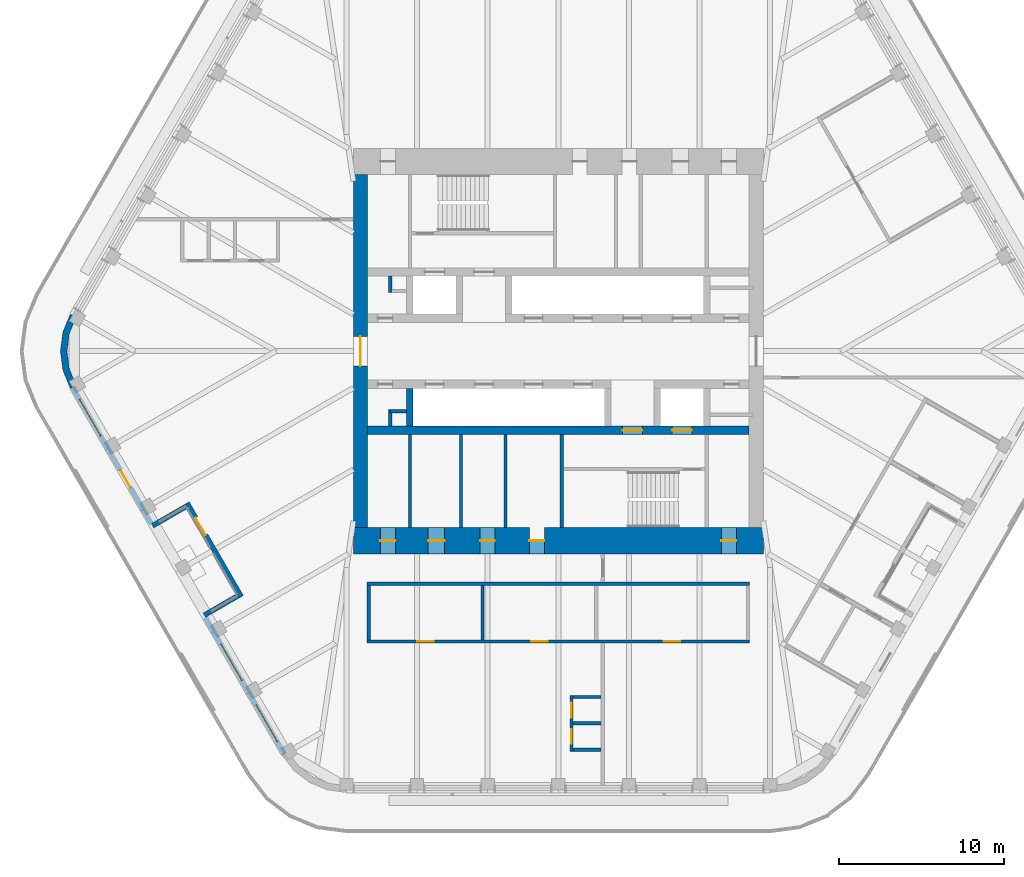
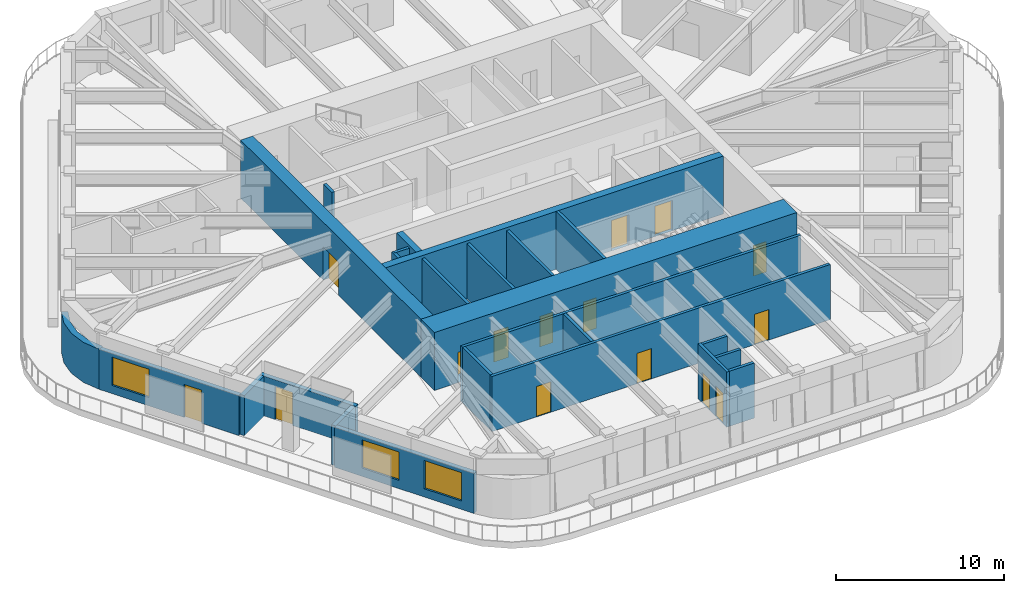
# One storey, part 13 of 20: 25 walls, 15 doors, 3 windows, 18 openings.
"""IFC4 building model written with IfcOpenShell, lengths in metres."""

from ifc_helpers import new_model, si_unit, direction, frame, frame_2d, origin, place, context, subcontext, project, spatial, polyline, rectangle, outline, extrude, material, layer, layer_set, type_object, element, fill, save


model = new_model("IFC4")

# Units and contexts
model_context = context("Model", 3, precision=1e-05, world=origin(), true_north=direction((0.0, 1.0)))
body_context = subcontext(model_context, "Body", "Model", "MODEL_VIEW")
ifc_project = project(units=[si_unit("LENGTHUNIT", "METRE"), si_unit("AREAUNIT", "SQUARE_METRE"), si_unit("VOLUMEUNIT", "CUBIC_METRE"), si_unit("PLANEANGLEUNIT", "RADIAN"), si_unit("MASSUNIT", "GRAM", prefix="KILO")], contexts=[model_context])

# Site, building, storey
site_placement = place(None, origin())
site = spatial("IfcSite", under=ifc_project, at=site_placement, CompositionType="ELEMENT")
building_placement = place(site_placement, origin())
building = spatial("IfcBuilding", under=site, at=building_placement, Name="Tarfa Lantern Tower", CompositionType="ELEMENT")
storey_placement = place(building_placement, frame((0.0, 0.0, 382.89990234375)))
storey = spatial("IfcBuildingStorey", under=building, at=storey_placement, Name="L87", CompositionType="ELEMENT", Elevation=382.89990234375)

# Wall, openings, door, window
ifc_material_1 = material(Name="Limestone cladding on blockwork", Category="masonry")
ifc_layer_1 = layer(ifc_material_1, 0.300048828125)
ifc_layer_set_1 = layer_set([ifc_layer_1], Name="EW1 STONE-CLAD WALL 300")
wall_type_1 = type_object("IfcWallType", Name="EW1 STONE-CLAD WALL 300", PredefinedType="SOLIDWALL", material=ifc_layer_set_1)
wall_1_placement = place(storey_placement, frame((-29.459228515625, -2.175048828125, 0.0), z_axis=(0.0, 0.0, 1.0), x_axis=(0.499996453679, -0.866027451244, 0.0)))
wall_1 = element("IfcWall", 1, at=wall_1_placement, inside=storey, type_object=wall_type_1, Name="Stone wall SW", PredefinedType="SOLIDWALL", context=body_context, shape_type="SweptSolid", body=[
    extrude(rectangle(XDim=9.56396484375, YDim=0.300048828125, at=frame_2d((4.781982421875, 0.0))), origin(), (0.0, 0.0, 1.0), 2.900146484375),
])
opening_1_placement = place(wall_1_placement, frame((0.865966796875, 0.0, 0.60009765625)))
opening_1 = element("IfcOpeningElement", 2, at=opening_1_placement, cuts=wall_1, Name="Opening W17", PredefinedType="OPENING", context=body_context, shape_type="SweptSolid", body=[
    extrude(rectangle(XDim=2.550048828125, YDim=2.050048828125, at=frame_2d((1.27490234375, 1.02490234375))), frame((0.0, 0.159912109375, 0.0), z_axis=(0.0, -1.0, 0.0), x_axis=(1.0, 0.0, 0.0)), (0.0, 0.0, 1.0), 0.320068359375),
])
opening_2_placement = place(wall_1_placement, frame((5.822998046875, 0.0, 0.0)))
opening_2 = element("IfcOpeningElement", 3, at=opening_2_placement, cuts=wall_1, Name="Opening D43", PredefinedType="OPENING", context=body_context, shape_type="SweptSolid", body=[
    extrude(rectangle(XDim=1.199951171875, YDim=2.39990234375, at=frame_2d((0.60009765625, 1.199951171875))), frame((0.0, 0.159912109375, 0.0), z_axis=(0.0, -1.0, 0.0), x_axis=(1.0, 0.0, 0.0)), (0.0, 0.0, 1.0), 0.320068359375),
])
ifc_material_2 = material(Name="Aluminium framed glazed door", Category="aluminium")
door_type_1 = type_object("IfcDoorType", Name="BE3 BALCONY DOOR 1200x2400", OperationType="SINGLE_SWING_RIGHT", PredefinedType="DOOR", material=ifc_material_2)
door_1_placement = place(opening_2_placement, origin())
door_1 = element("IfcDoor", 4, at=door_1_placement, inside=storey, type_object=door_type_1, Name="Balcony door SW", OperationType="SINGLE_SWING_LEFT", OverallHeight=2.39990234375, OverallWidth=1.199951171875, PredefinedType="DOOR", context=body_context, shape_type="SweptSolid", body=[
    extrude(rectangle(XDim=1.199951171875, YDim=2.39990234375, at=frame_2d((0.60009765625, 1.199951171875))), frame((0.0, 0.02490234375, 0.0), z_axis=(0.0, -1.0, 0.0), x_axis=(1.0, 0.0, 0.0)), (0.0, 0.0, 1.0), 0.050048828125),
])
fill(opening_2, door_1)
ifc_material_3 = material(Name="Aluminium frame, double glazed", Category="aluminium")
window_type = type_object("IfcWindowType", Name="W17 FULL-HEIGHT GLAZING 2550x2050", PartitioningType="SINGLE_PANEL", PredefinedType="WINDOW", material=ifc_material_3)
window_1_placement = place(opening_1_placement, origin())
window_1 = element("IfcWindow", 5, at=window_1_placement, inside=storey, type_object=window_type, Name="Window SW 1", OverallHeight=2.050048828125, OverallWidth=2.550048828125, PartitioningType="SINGLE_PANEL", PredefinedType="WINDOW", context=body_context, shape_type="SweptSolid", body=[
    extrude(rectangle(XDim=2.550048828125, YDim=2.050048828125, at=frame_2d((1.27490234375, 1.02490234375))), frame((0.0, 0.030029296875, 0.0), z_axis=(0.0, -1.0, 0.0), x_axis=(1.0, 0.0, 0.0)), (0.0, 0.0, 1.0), 0.06005859375),
])
fill(opening_1, window_1)

# Wall, openings, windows
wall_2_placement = place(storey_placement, frame((-21.395263671875, -16.142333984375, 0.0), z_axis=(0.0, 0.0, 1.0), x_axis=(0.499996453679, -0.866027451244, 0.0)))
wall_2 = element("IfcWall", 6, at=wall_2_placement, inside=storey, type_object=wall_type_1, Name="Stone wall SWB", PredefinedType="SOLIDWALL", context=body_context, shape_type="SweptSolid", body=[
    extrude(rectangle(XDim=9.56396484375, YDim=0.300048828125, at=frame_2d((4.781982421875, 0.0))), origin(), (0.0, 0.0, 1.0), 2.900146484375),
])
opening_3_placement = place(wall_2_placement, frame((1.865966796875, 0.0, 0.60009765625)))
opening_3 = element("IfcOpeningElement", 7, at=opening_3_placement, cuts=wall_2, Name="Opening W17", PredefinedType="OPENING", context=body_context, shape_type="SweptSolid", body=[
    extrude(rectangle(XDim=2.550048828125, YDim=2.050048828125, at=frame_2d((1.27490234375, 1.02490234375))), frame((0.0, 0.159912109375, 0.0), z_axis=(0.0, -1.0, 0.0), x_axis=(1.0, 0.0, 0.0)), (0.0, 0.0, 1.0), 0.320068359375),
])
opening_4_placement = place(wall_2_placement, frame((6.14794921875, 0.0, 0.60009765625)))
opening_4 = element("IfcOpeningElement", 8, at=opening_4_placement, cuts=wall_2, Name="Opening W17", PredefinedType="OPENING", context=body_context, shape_type="SweptSolid", body=[
    extrude(rectangle(XDim=2.550048828125, YDim=2.050048828125, at=frame_2d((1.27490234375, 1.02490234375))), frame((0.0, 0.159912109375, 0.0), z_axis=(0.0, -1.0, 0.0), x_axis=(1.0, 0.0, 0.0)), (0.0, 0.0, 1.0), 0.320068359375),
])
window_2_placement = place(opening_3_placement, origin())
window_2 = element("IfcWindow", 9, at=window_2_placement, inside=storey, type_object=window_type, Name="Window SWB 1", OverallHeight=2.050048828125, OverallWidth=2.550048828125, PartitioningType="SINGLE_PANEL", PredefinedType="WINDOW", context=body_context, shape_type="SweptSolid", body=[
    extrude(rectangle(XDim=2.550048828125, YDim=2.050048828125, at=frame_2d((1.27490234375, 1.02490234375))), frame((0.0, 0.030029296875, 0.0), z_axis=(0.0, -1.0, 0.0), x_axis=(1.0, 0.0, 0.0)), (0.0, 0.0, 1.0), 0.06005859375),
])
fill(opening_3, window_2)
window_3_placement = place(opening_4_placement, origin())
window_3 = element("IfcWindow", 10, at=window_3_placement, inside=storey, type_object=window_type, Name="Window SWB 2", OverallHeight=2.050048828125, OverallWidth=2.550048828125, PartitioningType="SINGLE_PANEL", PredefinedType="WINDOW", context=body_context, shape_type="SweptSolid", body=[
    extrude(rectangle(XDim=2.550048828125, YDim=2.050048828125, at=frame_2d((1.27490234375, 1.02490234375))), frame((0.0, 0.030029296875, 0.0), z_axis=(0.0, -1.0, 0.0), x_axis=(1.0, 0.0, 0.0)), (0.0, 0.0, 1.0), 0.06005859375),
])
fill(opening_4, window_3)

# Walls
for number, where, z_axis, x_axis, name in (
    (11, (-24.602294921875, -10.587646484375, 0.0), (0.0, 0.0, 1.0), (0.866016039709, 0.500016218704, 0.0), "Terrace return SW 1"),
    (12, (-21.47021484375, -16.012451171875, 0.0), (0.0, 0.0, 1.0), (0.866016039709, 0.500016218704, 0.0), "Terrace return SW 2"),
):
    element("IfcWall", number, at=place(storey_placement, frame(where, z_axis=z_axis, x_axis=x_axis)), inside=storey, type_object=wall_type_1, Name=name, PredefinedType="SOLIDWALL", context=body_context, shape_type="SweptSolid", body=[
        extrude(rectangle(XDim=2.35009765625, YDim=0.300048828125, at=frame_2d((1.175048828125, 0.0))), origin(), (0.0, 0.0, 1.0), 2.900146484375),
    ])

# Wall, opening, door
wall_3_placement = place(storey_placement, frame((-22.51220703125, -9.207763671875, 0.0), z_axis=(0.0, 0.0, 1.0), x_axis=(0.499999339774, -0.866025784966, 0.0)))
wall_3 = element("IfcWall", 13, at=wall_3_placement, inside=storey, type_object=wall_type_1, Name="Stone wall SWS", PredefinedType="SOLIDWALL", context=body_context, shape_type="SweptSolid", body=[
    extrude(rectangle(XDim=6.56396484375, YDim=0.300048828125, at=frame_2d((3.281982421875, 0.0))), origin(), (0.0, 0.0, 1.0), 2.900146484375),
])
opening_5_placement = place(wall_3_placement, frame((1.041015625, 0.0, 0.0)))
opening_5 = element("IfcOpeningElement", 14, at=opening_5_placement, cuts=wall_3, Name="Opening D44", PredefinedType="OPENING", context=body_context, shape_type="SweptSolid", body=[
    extrude(rectangle(XDim=1.199951171875, YDim=2.39990234375, at=frame_2d((0.60009765625, 1.199951171875))), frame((0.0, 0.159912109375, 0.0), z_axis=(0.0, -1.0, 0.0), x_axis=(1.0, 0.0, 0.0)), (0.0, 0.0, 1.0), 0.320068359375),
])
door_2_placement = place(opening_5_placement, origin())
door_2 = element("IfcDoor", 15, at=door_2_placement, inside=storey, type_object=door_type_1, Name="Balcony door SWS", OperationType="SINGLE_SWING_RIGHT", OverallHeight=2.39990234375, OverallWidth=1.199951171875, PredefinedType="DOOR", context=body_context, shape_type="SweptSolid", body=[
    extrude(rectangle(XDim=1.199951171875, YDim=2.39990234375, at=frame_2d((0.60009765625, 1.199951171875))), frame((0.0, 0.02490234375, 0.0), z_axis=(0.0, -1.0, 0.0), x_axis=(1.0, 0.0, 0.0)), (0.0, 0.0, 1.0), 0.050048828125),
])
fill(opening_5, door_2)

# Walls
ifc_layer_2 = layer(ifc_material_1, 0.39990234375)
ifc_layer_set_2 = layer_set([ifc_layer_2], Name="EW2 CURVED STONE CORNER 400")
wall_type_2 = type_object("IfcWallType", Name="EW2 CURVED STONE CORNER 400", PredefinedType="SOLIDWALL", material=ifc_layer_set_2)
wall_4_placement = place(storey_placement, origin())
element("IfcWall", 16, at=wall_4_placement, inside=storey, type_object=wall_type_2, Name="Stone corner NW-SW", PredefinedType="SOLIDWALL", context=body_context, shape_type="SweptSolid", body=[
    extrude(outline(polyline([(-29.589111328125, 2.25), (-30.038818359375, 1.164794921875), (-30.192138671875, 0.0), (-30.038818359375, -1.164794921875), (-29.589111328125, -2.25), (-29.24267578125, -2.050048828125), (-29.65234375, -1.061279296875), (-29.7919921875, 0.0), (-29.65234375, 1.061279296875), (-29.24267578125, 2.050048828125), (-29.589111328125, 2.25)])), origin(), (0.0, 0.0, 1.0), 2.900146484375),
])
ifc_material_4 = material(Name="Concrete blockwork", Category="masonry")
ifc_layer_3 = layer(ifc_material_4, 0.199951171875)
ifc_layer_set_3 = layer_set([ifc_layer_3], Name="IW1 BLOCKWORK PARTITION 200 EI 120")
wall_type_3 = type_object("IfcWallType", Name="IW1 BLOCKWORK PARTITION 200 EI 120", PredefinedType="PARTITIONING", material=ifc_layer_set_3)
for number, where, z_axis, x_axis, name in (
    (17, (-9.0, -5.050048828125, 0.0), (0.0, 0.0, 1.0), (0.0, -1.0, 0.0), "Core partition"),
    (18, (-3.199951171875, -5.050048828125, 0.0), (0.0, 0.0, 1.0), (0.0, -1.0, 0.0), "Core partition"),
    (19, (-5.89990234375, -5.050048828125, 0.0), (0.0, 0.0, 1.0), (0.0, -1.0, 0.0), "Core partition"),
):
    element("IfcWall", number, at=place(storey_placement, frame(where, z_axis=z_axis, x_axis=x_axis)), inside=storey, type_object=wall_type_3, Name=name, PredefinedType="PARTITIONING", context=body_context, shape_type="SweptSolid", body=[
        extrude(rectangle(XDim=5.64990234375, YDim=0.199951171875, at=frame_2d((2.824951171875, 0.0))), origin(), (0.0, 0.0, 1.0), 4.0),
    ])
for number, where, z_axis, x_axis, name in (
    (20, (-10.199951171875, 3.550048828125, 0.0), (0.0, 0.0, 1.0), (0.0, 1.0, 0.0), "Core partition"),
    (21, (-9.199951171875, -3.64990234375, 0.0), (0.0, 0.0, 1.0), (-1.0, 0.0, 0.0), "Core partition"),
    (22, (-10.199951171875, -3.550048828125, 0.0), (0.0, 0.0, 1.0), (0.0, -1.0, 0.0), "Core partition"),
):
    element("IfcWall", number, at=place(storey_placement, frame(where, z_axis=z_axis, x_axis=x_axis)), inside=storey, type_object=wall_type_3, Name=name, PredefinedType="PARTITIONING", context=body_context, shape_type="SweptSolid", body=[
        extrude(rectangle(XDim=1.0, YDim=0.199951171875, at=frame_2d((0.5, 0.0))), origin(), (0.0, 0.0, 1.0), 4.0),
    ])
ifc_material_5 = material(Name="Gypsum board on steel studs", Category="steel")
ifc_layer_4 = layer(ifc_material_5, 0.2099609375)
ifc_layer_set_4 = layer_set([ifc_layer_4], Name="IW2 ACOUSTIC PARTITION 200")
wall_type_4 = type_object("IfcWallType", Name="IW2 ACOUSTIC PARTITION 200", PredefinedType="PARTITIONING", material=ifc_layer_set_4)
wall_5_placement = place(storey_placement, frame((11.60009765625, -14.10009765625, 0.0), z_axis=(0.0, 0.0, 1.0), x_axis=(-1.0, 0.0, 0.0)))
element("IfcWall", 23, at=wall_5_placement, inside=storey, type_object=wall_type_4, Name="Partition", PredefinedType="PARTITIONING", context=body_context, shape_type="SweptSolid", body=[
    extrude(rectangle(XDim=23.2001953125, YDim=0.199951171875, at=frame_2d((11.60009765625, 0.0))), origin(), (0.0, 0.0, 1.0), 4.0),
])

# Wall, openings, doors
wall_6_placement = place(storey_placement, frame((11.60009765625, -17.60009765625, 0.0), z_axis=(0.0, 0.0, 1.0), x_axis=(-1.0, 0.0, 0.0)))
wall_6 = element("IfcWall", 24, at=wall_6_placement, inside=storey, type_object=wall_type_4, Name="Partition", PredefinedType="PARTITIONING", context=body_context, shape_type="SweptSolid", body=[
    extrude(rectangle(XDim=23.2001953125, YDim=0.199951171875, at=frame_2d((11.60009765625, 0.0))), origin(), (0.0, 0.0, 1.0), 4.0),
])
opening_6_placement = place(wall_6_placement, frame((4.199951171875, 0.0, 0.0)))
opening_6 = element("IfcOpeningElement", 25, at=opening_6_placement, cuts=wall_6, Name="Opening D28", PredefinedType="OPENING", context=body_context, shape_type="SweptSolid", body=[
    extrude(rectangle(XDim=1.0, YDim=2.199951171875, at=frame_2d((0.5, 1.10009765625))), frame((0.0, 0.10986328125, 0.0), z_axis=(0.0, -1.0, 0.0), x_axis=(1.0, 0.0, 0.0)), (0.0, 0.0, 1.0), 0.219970703125),
])
opening_7_placement = place(wall_6_placement, frame((12.25, 0.0, 0.0)))
opening_7 = element("IfcOpeningElement", 26, at=opening_7_placement, cuts=wall_6, Name="Opening D29", PredefinedType="OPENING", context=body_context, shape_type="SweptSolid", body=[
    extrude(rectangle(XDim=1.0, YDim=2.199951171875, at=frame_2d((0.5, 1.10009765625))), frame((0.0, 0.10986328125, 0.0), z_axis=(0.0, -1.0, 0.0), x_axis=(1.0, 0.0, 0.0)), (0.0, 0.0, 1.0), 0.219970703125),
])
opening_8_placement = place(wall_6_placement, frame((19.14990234375, 0.0, 0.0)))
opening_8 = element("IfcOpeningElement", 27, at=opening_8_placement, cuts=wall_6, Name="Opening D30", PredefinedType="OPENING", context=body_context, shape_type="SweptSolid", body=[
    extrude(rectangle(XDim=1.0, YDim=2.199951171875, at=frame_2d((0.5, 1.10009765625))), frame((0.0, 0.10986328125, 0.0), z_axis=(0.0, -1.0, 0.0), x_axis=(1.0, 0.0, 0.0)), (0.0, 0.0, 1.0), 0.219970703125),
])
ifc_material_6 = material(Name="Timber door", Category="wood")
door_type_2 = type_object("IfcDoorType", Name="DR1 ROOM DOOR 1000x2200", OperationType="SINGLE_SWING_LEFT", PredefinedType="DOOR", material=ifc_material_6)
door_3_placement = place(opening_6_placement, frame((1.0, 0.0, 0.0), z_axis=(0.0, 0.0, 1.0), x_axis=(-1.0, 0.0, 0.0)))
door_3 = element("IfcDoor", 28, at=door_3_placement, inside=storey, type_object=door_type_2, Name="Pantry door", OperationType="SINGLE_SWING_LEFT", OverallHeight=2.199951171875, OverallWidth=1.0, PredefinedType="DOOR", context=body_context, shape_type="SweptSolid", body=[
    extrude(rectangle(XDim=1.0, YDim=2.199951171875, at=frame_2d((0.5, 1.10009765625))), frame((0.0, 0.02490234375, 0.0), z_axis=(0.0, -1.0, 0.0), x_axis=(1.0, 0.0, 0.0)), (0.0, 0.0, 1.0), 0.050048828125),
])
fill(opening_6, door_3)
door_4_placement = place(opening_7_placement, frame((1.0, 0.0, 0.0), z_axis=(0.0, 0.0, 1.0), x_axis=(-1.0, 0.0, 0.0)))
door_4 = element("IfcDoor", 29, at=door_4_placement, inside=storey, type_object=door_type_2, Name="Guest lounge door", OperationType="SINGLE_SWING_RIGHT", OverallHeight=2.199951171875, OverallWidth=1.0, PredefinedType="DOOR", context=body_context, shape_type="SweptSolid", body=[
    extrude(rectangle(XDim=1.0, YDim=2.199951171875, at=frame_2d((0.5, 1.10009765625))), frame((0.0, 0.02490234375, 0.0), z_axis=(0.0, -1.0, 0.0), x_axis=(1.0, 0.0, 0.0)), (0.0, 0.0, 1.0), 0.050048828125),
])
fill(opening_7, door_4)
door_5_placement = place(opening_8_placement, frame((1.0, 0.0, 0.0), z_axis=(0.0, 0.0, 1.0), x_axis=(-1.0, 0.0, 0.0)))
door_5 = element("IfcDoor", 30, at=door_5_placement, inside=storey, type_object=door_type_2, Name="Chairman's lounge door", OperationType="SINGLE_SWING_RIGHT", OverallHeight=2.199951171875, OverallWidth=1.0, PredefinedType="DOOR", context=body_context, shape_type="SweptSolid", body=[
    extrude(rectangle(XDim=1.0, YDim=2.199951171875, at=frame_2d((0.5, 1.10009765625))), frame((0.0, 0.02490234375, 0.0), z_axis=(0.0, -1.0, 0.0), x_axis=(1.0, 0.0, 0.0)), (0.0, 0.0, 1.0), 0.050048828125),
])
fill(opening_8, door_5)

# Walls
for number, where, z_axis, x_axis, name in (
    (31, (-4.60009765625, -14.199951171875, 0.0), (0.0, 0.0, 1.0), (0.0, -1.0, 0.0), "Partition"),
    (32, (-11.5, -14.199951171875, 0.0), (0.0, 0.0, 1.0), (0.0, -1.0, 0.0), "Partition"),
):
    element("IfcWall", number, at=place(storey_placement, frame(where, z_axis=z_axis, x_axis=x_axis)), inside=storey, type_object=wall_type_4, Name=name, PredefinedType="PARTITIONING", context=body_context, shape_type="SweptSolid", body=[
        extrude(rectangle(XDim=3.300048828125, YDim=0.199951171875, at=frame_2d((1.64990234375, 0.0))), origin(), (0.0, 0.0, 1.0), 4.0),
    ])

# Wall, openings, doors
wall_7_placement = place(storey_placement, frame((0.800048828125, -20.867431640625, 0.0), z_axis=(0.0, 0.0, 1.0), x_axis=(0.0, -1.0, 0.0)))
wall_7 = element("IfcWall", 33, at=wall_7_placement, inside=storey, type_object=wall_type_4, Name="Partition", PredefinedType="PARTITIONING", context=body_context, shape_type="SweptSolid", body=[
    extrude(rectangle(XDim=3.400146484375, YDim=0.199951171875, at=frame_2d((1.7001953125, 0.0))), origin(), (0.0, 0.0, 1.0), 4.0),
])
opening_9_placement = place(wall_7_placement, frame((0.449951171875, 0.0, 0.0)))
opening_9 = element("IfcOpeningElement", 34, at=opening_9_placement, cuts=wall_7, Name="Opening D34", PredefinedType="OPENING", context=body_context, shape_type="SweptSolid", body=[
    extrude(rectangle(XDim=0.89990234375, YDim=2.199951171875, at=frame_2d((0.449951171875, 1.10009765625))), frame((0.0, 0.10986328125, 0.0), z_axis=(0.0, -1.0, 0.0), x_axis=(1.0, 0.0, 0.0)), (0.0, 0.0, 1.0), 0.219970703125),
])
opening_10_placement = place(wall_7_placement, frame((2.050048828125, 0.0, 0.0)))
opening_10 = element("IfcOpeningElement", 35, at=opening_10_placement, cuts=wall_7, Name="Opening D35", PredefinedType="OPENING", context=body_context, shape_type="SweptSolid", body=[
    extrude(rectangle(XDim=0.89990234375, YDim=2.199951171875, at=frame_2d((0.449951171875, 1.10009765625))), frame((0.0, 0.10986328125, 0.0), z_axis=(0.0, -1.0, 0.0), x_axis=(1.0, 0.0, 0.0)), (0.0, 0.0, 1.0), 0.219970703125),
])
door_type_3 = type_object("IfcDoorType", Name="DR3 ROOM DOOR 900x2200", OperationType="SINGLE_SWING_LEFT", PredefinedType="DOOR", material=ifc_material_6)
door_6_placement = place(opening_9_placement, origin())
door_6 = element("IfcDoor", 36, at=door_6_placement, inside=storey, type_object=door_type_3, Name="Phone booth door", OperationType="SINGLE_SWING_RIGHT", OverallHeight=2.199951171875, OverallWidth=0.89990234375, PredefinedType="DOOR", context=body_context, shape_type="SweptSolid", body=[
    extrude(rectangle(XDim=0.89990234375, YDim=2.199951171875, at=frame_2d((0.449951171875, 1.10009765625))), frame((0.0, 0.02490234375, 0.0), z_axis=(0.0, -1.0, 0.0), x_axis=(1.0, 0.0, 0.0)), (0.0, 0.0, 1.0), 0.050048828125),
])
fill(opening_9, door_6)
door_7_placement = place(opening_10_placement, origin())
door_7 = element("IfcDoor", 37, at=door_7_placement, inside=storey, type_object=door_type_3, Name="Phone booth door", OperationType="SINGLE_SWING_LEFT", OverallHeight=2.199951171875, OverallWidth=0.89990234375, PredefinedType="DOOR", context=body_context, shape_type="SweptSolid", body=[
    extrude(rectangle(XDim=0.89990234375, YDim=2.199951171875, at=frame_2d((0.449951171875, 1.10009765625))), frame((0.0, 0.02490234375, 0.0), z_axis=(0.0, -1.0, 0.0), x_axis=(1.0, 0.0, 0.0)), (0.0, 0.0, 1.0), 0.050048828125),
])
fill(opening_10, door_7)

# Walls
for number, where, z_axis, x_axis, name in (
    (38, (2.60009765625, -20.967529296875, 0.0), (0.0, 0.0, 1.0), (-1.0, 0.0, 0.0), "Partition"),
    (39, (2.60009765625, -22.5673828125, 0.0), (0.0, 0.0, 1.0), (-1.0, 0.0, 0.0), "Partition"),
    (40, (2.60009765625, -24.16748046875, 0.0), (0.0, 0.0, 1.0), (-1.0, 0.0, 0.0), "Partition"),
):
    element("IfcWall", number, at=place(storey_placement, frame(where, z_axis=z_axis, x_axis=x_axis)), inside=storey, type_object=wall_type_4, Name=name, PredefinedType="PARTITIONING", context=body_context, shape_type="SweptSolid", body=[
        extrude(rectangle(XDim=1.7001953125, YDim=0.199951171875, at=frame_2d((0.85009765625, 0.0))), origin(), (0.0, 0.0, 1.0), 4.0),
    ])
ifc_material_7 = material(Name="Concrete C80/95", Category="concrete")
ifc_layer_5 = layer(ifc_material_7, 0.199951171875)
ifc_layer_set_5 = layer_set([ifc_layer_5], Name="SW12 CORE WALL 200")
wall_type_5 = type_object("IfcWallType", Name="SW12 CORE WALL 200", PredefinedType="SHEAR", material=ifc_layer_set_5)
wall_8_placement = place(storey_placement, frame((0.199951171875, -5.050048828125, 0.0), z_axis=(0.0, 0.0, 1.0), x_axis=(0.0, -1.0, 0.0)))
element("IfcWall", 41, at=wall_8_placement, inside=storey, type_object=wall_type_5, Name="Core wall stair shaft S", PredefinedType="SHEAR", context=body_context, shape_type="SweptSolid", body=[
    extrude(rectangle(XDim=5.64990234375, YDim=0.199951171875, at=frame_2d((2.824951171875, 0.0))), origin(), (0.0, 0.0, 1.0), 4.2001953125),
])

# Wall, opening, door
ifc_layer_6 = layer(ifc_material_7, 0.85009765625)
ifc_layer_set_6 = layer_set([ifc_layer_6], Name="SW3 CORE WALL 850")
wall_type_6 = type_object("IfcWallType", Name="SW3 CORE WALL 850", PredefinedType="SHEAR", material=ifc_layer_set_6)
wall_9_placement = place(storey_placement, frame((-12.0, 10.699951171875, 0.0), z_axis=(0.0, 0.0, 1.0), x_axis=(0.0, -1.0, 0.0)))
wall_9 = element("IfcWall", 42, at=wall_9_placement, inside=storey, type_object=wall_type_6, Name="Core wall W", PredefinedType="SHEAR", context=body_context, shape_type="SweptSolid", body=[
    extrude(rectangle(XDim=21.39990234375, YDim=0.85009765625, at=frame_2d((10.699951171875, 0.0))), origin(), (0.0, 0.0, 1.0), 4.2001953125),
])
opening_11_placement = place(wall_9_placement, frame((9.800048828125, 0.0, 0.0)))
opening_11 = element("IfcOpeningElement", 43, at=opening_11_placement, cuts=wall_9, Name="Opening D08", PredefinedType="OPENING", context=body_context, shape_type="SweptSolid", body=[
    extrude(rectangle(XDim=1.800048828125, YDim=2.39990234375, at=frame_2d((0.89990234375, 1.199951171875))), frame((0.0, 0.43505859375, 0.0), z_axis=(0.0, -1.0, 0.0), x_axis=(1.0, 0.0, 0.0)), (0.0, 0.0, 1.0), 0.8701171875),
])
ifc_material_8 = material(Name="Steel fire door", Category="steel")
door_type_4 = type_object("IfcDoorType", Name="DL1 LOBBY DOOR 1800x2400", OperationType="DOUBLE_DOOR_SINGLE_SWING", PredefinedType="DOOR", material=ifc_material_8)
door_8_placement = place(opening_11_placement, frame((1.800048828125, 0.0, 0.0), z_axis=(0.0, 0.0, 1.0), x_axis=(-1.0, 0.0, 0.0)))
door_8 = element("IfcDoor", 44, at=door_8_placement, inside=storey, type_object=door_type_4, Name="Lift lobby door", OperationType="DOUBLE_DOOR_SINGLE_SWING", OverallHeight=2.39990234375, OverallWidth=1.800048828125, PredefinedType="DOOR", context=body_context, shape_type="SweptSolid", body=[
    extrude(rectangle(XDim=1.800048828125, YDim=2.39990234375, at=frame_2d((0.89990234375, 1.199951171875))), frame((0.0, 0.02490234375, 0.0), z_axis=(0.0, -1.0, 0.0), x_axis=(1.0, 0.0, 0.0)), (0.0, 0.0, 1.0), 0.050048828125),
])
fill(opening_11, door_8)

# Wall, openings, doors
ifc_layer_7 = layer(ifc_material_7, 0.5)
ifc_layer_set_7 = layer_set([ifc_layer_7], Name="SW5 CORE WALL 500")
wall_type_7 = type_object("IfcWallType", Name="SW5 CORE WALL 500", PredefinedType="SHEAR", material=ifc_layer_set_7)
wall_10_placement = place(storey_placement, frame((11.574951171875, -4.800048828125, 0.0), z_axis=(0.0, 0.0, 1.0), x_axis=(-1.0, 0.0, 0.0)))
wall_10 = element("IfcWall", 45, at=wall_10_placement, inside=storey, type_object=wall_type_7, Name="Core wall rear S", PredefinedType="SHEAR", context=body_context, shape_type="SweptSolid", body=[
    extrude(rectangle(XDim=23.14990234375, YDim=0.5, at=frame_2d((11.574951171875, 0.0))), origin(), (0.0, 0.0, 1.0), 4.2001953125),
])
opening_12_placement = place(wall_10_placement, frame((6.47509765625, 0.0, 0.0)))
opening_12 = element("IfcOpeningElement", 46, at=opening_12_placement, cuts=wall_10, Name="Opening D06", PredefinedType="OPENING", context=body_context, shape_type="SweptSolid", body=[
    extrude(rectangle(XDim=1.199951171875, YDim=2.199951171875, at=frame_2d((0.60009765625, 1.10009765625))), frame((0.0, 0.260009765625, 0.0), z_axis=(0.0, -1.0, 0.0), x_axis=(1.0, 0.0, 0.0)), (0.0, 0.0, 1.0), 0.52001953125),
])
opening_13_placement = place(wall_10_placement, frame((3.47509765625, 0.0, 0.0)))
opening_13 = element("IfcOpeningElement", 47, at=opening_13_placement, cuts=wall_10, Name="Opening LD02", PredefinedType="OPENING", context=body_context, shape_type="SweptSolid", body=[
    extrude(rectangle(XDim=1.199951171875, YDim=2.199951171875, at=frame_2d((0.60009765625, 1.10009765625))), frame((0.0, 0.260009765625, 0.0), z_axis=(0.0, -1.0, 0.0), x_axis=(1.0, 0.0, 0.0)), (0.0, 0.0, 1.0), 0.52001953125),
])
door_type_5 = type_object("IfcDoorType", Name="DF1 FIREFIGHTING LOBBY DOOR 1200x2200", OperationType="SINGLE_SWING_LEFT", PredefinedType="DOOR", material=ifc_material_8)
door_9_placement = place(opening_12_placement, origin())
door_9 = element("IfcDoor", 48, at=door_9_placement, inside=storey, type_object=door_type_5, Name="Firefighting lobby door", OperationType="SINGLE_SWING_LEFT", OverallHeight=2.199951171875, OverallWidth=1.199951171875, PredefinedType="DOOR", context=body_context, shape_type="SweptSolid", body=[
    extrude(rectangle(XDim=1.199951171875, YDim=2.199951171875, at=frame_2d((0.60009765625, 1.10009765625))), frame((0.0, 0.02490234375, 0.0), z_axis=(0.0, -1.0, 0.0), x_axis=(1.0, 0.0, 0.0)), (0.0, 0.0, 1.0), 0.050048828125),
])
fill(opening_12, door_9)
ifc_material_9 = material(Name="Stainless steel lift door", Category="steel")
door_type_6 = type_object("IfcDoorType", Name="LD1 LIFT LANDING DOOR 1200x2200", OperationType="SLIDING_TO_LEFT", PredefinedType="DOOR", material=ifc_material_9)
door_10_placement = place(opening_13_placement, origin())
door_10 = element("IfcDoor", 49, at=door_10_placement, inside=storey, type_object=door_type_6, Name="Landing door FL2", OperationType="SLIDING_TO_LEFT", OverallHeight=2.199951171875, OverallWidth=1.199951171875, PredefinedType="DOOR", context=body_context, shape_type="SweptSolid", body=[
    extrude(rectangle(XDim=1.199951171875, YDim=2.199951171875, at=frame_2d((0.60009765625, 1.10009765625))), frame((0.0, 0.02490234375, 0.0), z_axis=(0.0, -1.0, 0.0), x_axis=(1.0, 0.0, 0.0)), (0.0, 0.0, 1.0), 0.050048828125),
])
fill(opening_13, door_10)

# Wall
ifc_layer_8 = layer(ifc_material_7, 0.39990234375)
ifc_layer_set_8 = layer_set([ifc_layer_8], Name="SW6 CORE WALL 400")
wall_type_8 = type_object("IfcWallType", Name="SW6 CORE WALL 400", PredefinedType="SHEAR", material=ifc_layer_set_8)
wall_11_placement = place(storey_placement, frame((-9.0, -2.25, 0.0), z_axis=(0.0, 0.0, 1.0), x_axis=(0.0, -1.0, 0.0)))
element("IfcWall", 50, at=wall_11_placement, inside=storey, type_object=wall_type_8, Name="Core wall divider S", PredefinedType="SHEAR", context=body_context, shape_type="SweptSolid", body=[
    extrude(rectangle(XDim=2.300048828125, YDim=0.39990234375, at=frame_2d((1.14990234375, 0.0))), origin(), (0.0, 0.0, 1.0), 4.2001953125),
])

# Wall, openings, doors
ifc_layer_9 = layer(ifc_material_7, 1.60009765625)
ifc_layer_set_9 = layer_set([ifc_layer_9], Name="SW7 CORE WALL 1600")
wall_type_9 = type_object("IfcWallType", Name="SW7 CORE WALL 1600", PredefinedType="SHEAR", material=ifc_layer_set_9)
wall_12_placement = place(storey_placement, frame((12.425048828125, -11.5, 0.0), z_axis=(0.0, 0.0, 1.0), x_axis=(-1.0, 0.0, 0.0)))
wall_12 = element("IfcWall", 51, at=wall_12_placement, inside=storey, type_object=wall_type_9, Name="Core wall S", PredefinedType="SHEAR", context=body_context, shape_type="SweptSolid", body=[
    extrude(rectangle(XDim=24.85009765625, YDim=1.60009765625, at=frame_2d((12.425048828125, 0.0))), origin(), (0.0, 0.0, 1.0), 4.2001953125),
])
opening_14_placement = place(wall_12_placement, frame((13.27490234375, 0.0, 0.0)))
opening_14 = element("IfcOpeningElement", 52, at=opening_14_placement, cuts=wall_12, Name="Opening D14", PredefinedType="OPENING", context=body_context, shape_type="SweptSolid", body=[
    extrude(rectangle(XDim=0.89990234375, YDim=2.199951171875, at=frame_2d((0.449951171875, 1.10009765625))), frame((0.0, 0.81005859375, 0.0), z_axis=(0.0, -1.0, 0.0), x_axis=(1.0, 0.0, 0.0)), (0.0, 0.0, 1.0), 1.6201171875),
])
opening_15_placement = place(wall_12_placement, frame((16.27490234375, 0.0, 0.0)))
opening_15 = element("IfcOpeningElement", 53, at=opening_15_placement, cuts=wall_12, Name="Opening D16", PredefinedType="OPENING", context=body_context, shape_type="SweptSolid", body=[
    extrude(rectangle(XDim=0.89990234375, YDim=2.199951171875, at=frame_2d((0.449951171875, 1.10009765625))), frame((0.0, 0.81005859375, 0.0), z_axis=(0.0, -1.0, 0.0), x_axis=(1.0, 0.0, 0.0)), (0.0, 0.0, 1.0), 1.6201171875),
])
opening_16_placement = place(wall_12_placement, frame((19.324951171875, 0.0, 0.0)))
opening_16 = element("IfcOpeningElement", 54, at=opening_16_placement, cuts=wall_12, Name="Opening D18", PredefinedType="OPENING", context=body_context, shape_type="SweptSolid", body=[
    extrude(rectangle(XDim=1.0, YDim=2.199951171875, at=frame_2d((0.5, 1.10009765625))), frame((0.0, 0.81005859375, 0.0), z_axis=(0.0, -1.0, 0.0), x_axis=(1.0, 0.0, 0.0)), (0.0, 0.0, 1.0), 1.6201171875),
])
opening_17_placement = place(wall_12_placement, frame((1.637451171875, 0.0, 0.0)))
opening_17 = element("IfcOpeningElement", 55, at=opening_17_placement, cuts=wall_12, Name="Opening D04", PredefinedType="OPENING", context=body_context, shape_type="SweptSolid", body=[
    extrude(rectangle(XDim=0.89990234375, YDim=2.199951171875, at=frame_2d((0.449951171875, 1.10009765625))), frame((0.0, 0.81005859375, 0.0), z_axis=(0.0, -1.0, 0.0), x_axis=(1.0, 0.0, 0.0)), (0.0, 0.0, 1.0), 1.6201171875),
])
opening_18_placement = place(wall_12_placement, frame((22.3125, 0.0, 0.0)))
opening_18 = element("IfcOpeningElement", 56, at=opening_18_placement, cuts=wall_12, Name="Opening D02", PredefinedType="OPENING", context=body_context, shape_type="SweptSolid", body=[
    extrude(rectangle(XDim=0.89990234375, YDim=2.199951171875, at=frame_2d((0.449951171875, 1.10009765625))), frame((0.0, 0.81005859375, 0.0), z_axis=(0.0, -1.0, 0.0), x_axis=(1.0, 0.0, 0.0)), (0.0, 0.0, 1.0), 1.6201171875),
])
door_type_7 = type_object("IfcDoorType", Name="DF3 CORE ROOM DOOR 900x2200", OperationType="SINGLE_SWING_LEFT", PredefinedType="DOOR", material=ifc_material_8)
door_11_placement = place(opening_14_placement, frame((0.89990234375, 0.0, 0.0), z_axis=(0.0, 0.0, 1.0), x_axis=(-1.0, 0.0, 0.0)))
door_11 = element("IfcDoor", 57, at=door_11_placement, inside=storey, type_object=door_type_7, Name="Core door", OperationType="SINGLE_SWING_LEFT", OverallHeight=2.199951171875, OverallWidth=0.89990234375, PredefinedType="DOOR", context=body_context, shape_type="SweptSolid", body=[
    extrude(rectangle(XDim=0.89990234375, YDim=2.199951171875, at=frame_2d((0.449951171875, 1.10009765625))), frame((0.0, 0.02490234375, 0.0), z_axis=(0.0, -1.0, 0.0), x_axis=(1.0, 0.0, 0.0)), (0.0, 0.0, 1.0), 0.050048828125),
])
fill(opening_14, door_11)
door_12_placement = place(opening_15_placement, frame((0.89990234375, 0.0, 0.0), z_axis=(0.0, 0.0, 1.0), x_axis=(-1.0, 0.0, 0.0)))
door_12 = element("IfcDoor", 58, at=door_12_placement, inside=storey, type_object=door_type_7, Name="Core door", OperationType="SINGLE_SWING_LEFT", OverallHeight=2.199951171875, OverallWidth=0.89990234375, PredefinedType="DOOR", context=body_context, shape_type="SweptSolid", body=[
    extrude(rectangle(XDim=0.89990234375, YDim=2.199951171875, at=frame_2d((0.449951171875, 1.10009765625))), frame((0.0, 0.02490234375, 0.0), z_axis=(0.0, -1.0, 0.0), x_axis=(1.0, 0.0, 0.0)), (0.0, 0.0, 1.0), 0.050048828125),
])
fill(opening_15, door_12)
door_type_8 = type_object("IfcDoorType", Name="DF4 CORE ROOM DOOR 1000x2200", OperationType="SINGLE_SWING_LEFT", PredefinedType="DOOR", material=ifc_material_8)
door_13_placement = place(opening_16_placement, frame((1.0, 0.0, 0.0), z_axis=(0.0, 0.0, 1.0), x_axis=(-1.0, 0.0, 0.0)))
door_13 = element("IfcDoor", 59, at=door_13_placement, inside=storey, type_object=door_type_8, Name="Core door", OperationType="SINGLE_SWING_LEFT", OverallHeight=2.199951171875, OverallWidth=1.0, PredefinedType="DOOR", context=body_context, shape_type="SweptSolid", body=[
    extrude(rectangle(XDim=1.0, YDim=2.199951171875, at=frame_2d((0.5, 1.10009765625))), frame((0.0, 0.02490234375, 0.0), z_axis=(0.0, -1.0, 0.0), x_axis=(1.0, 0.0, 0.0)), (0.0, 0.0, 1.0), 0.050048828125),
])
fill(opening_16, door_13)
door_type_9 = type_object("IfcDoorType", Name="DF5 RISER DOOR 900x2200", OperationType="SINGLE_SWING_LEFT", PredefinedType="DOOR", material=ifc_material_8)
door_14_placement = place(opening_17_placement, frame((0.89990234375, 0.0, 0.0), z_axis=(0.0, 0.0, 1.0), x_axis=(-1.0, 0.0, 0.0)))
door_14 = element("IfcDoor", 60, at=door_14_placement, inside=storey, type_object=door_type_9, Name="Riser door", OperationType="SINGLE_SWING_LEFT", OverallHeight=2.199951171875, OverallWidth=0.89990234375, PredefinedType="DOOR", context=body_context, shape_type="SweptSolid", body=[
    extrude(rectangle(XDim=0.89990234375, YDim=2.199951171875, at=frame_2d((0.449951171875, 1.10009765625))), frame((0.0, 0.02490234375, 0.0), z_axis=(0.0, -1.0, 0.0), x_axis=(1.0, 0.0, 0.0)), (0.0, 0.0, 1.0), 0.050048828125),
])
fill(opening_17, door_14)
door_15_placement = place(opening_18_placement, frame((0.89990234375, 0.0, 0.0), z_axis=(0.0, 0.0, 1.0), x_axis=(-1.0, 0.0, 0.0)))
door_15 = element("IfcDoor", 61, at=door_15_placement, inside=storey, type_object=door_type_9, Name="Riser door", OperationType="SINGLE_SWING_RIGHT", OverallHeight=2.199951171875, OverallWidth=0.89990234375, PredefinedType="DOOR", context=body_context, shape_type="SweptSolid", body=[
    extrude(rectangle(XDim=0.89990234375, YDim=2.199951171875, at=frame_2d((0.449951171875, 1.10009765625))), frame((0.0, 0.02490234375, 0.0), z_axis=(0.0, -1.0, 0.0), x_axis=(1.0, 0.0, 0.0)), (0.0, 0.0, 1.0), 0.050048828125),
])
fill(opening_18, door_15)

save(model, "model.ifc")
